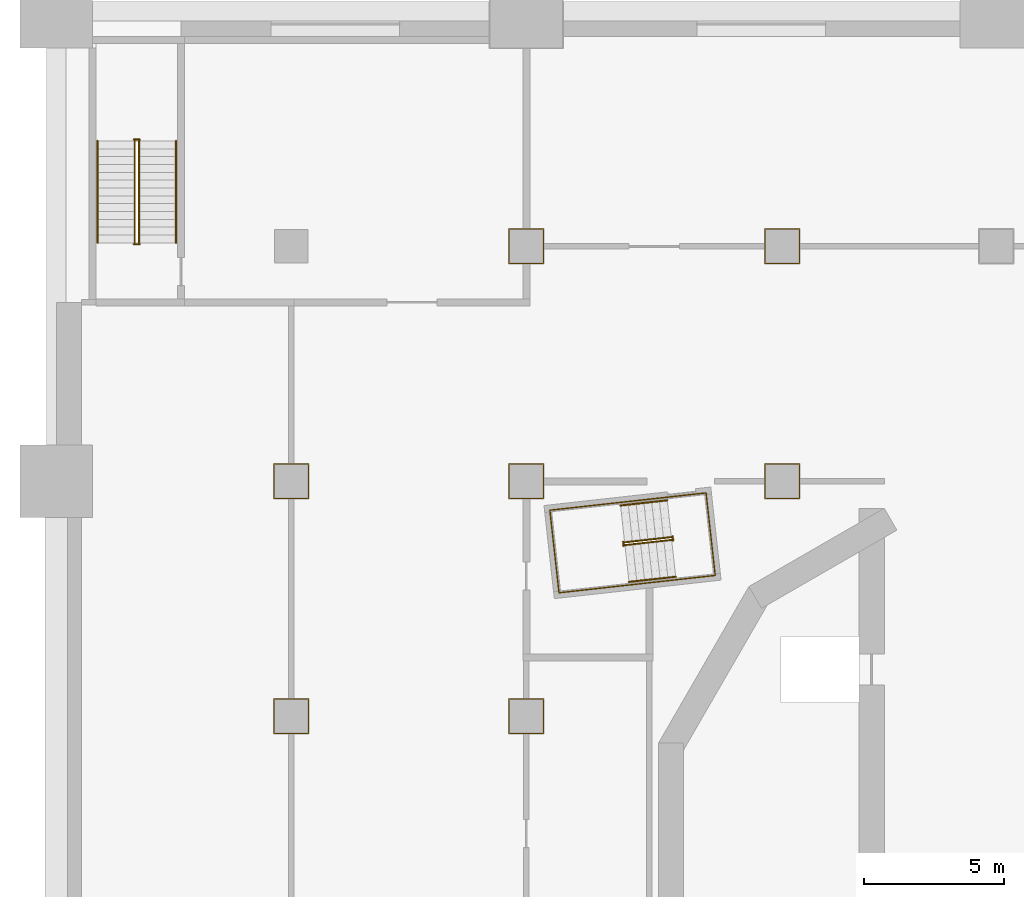
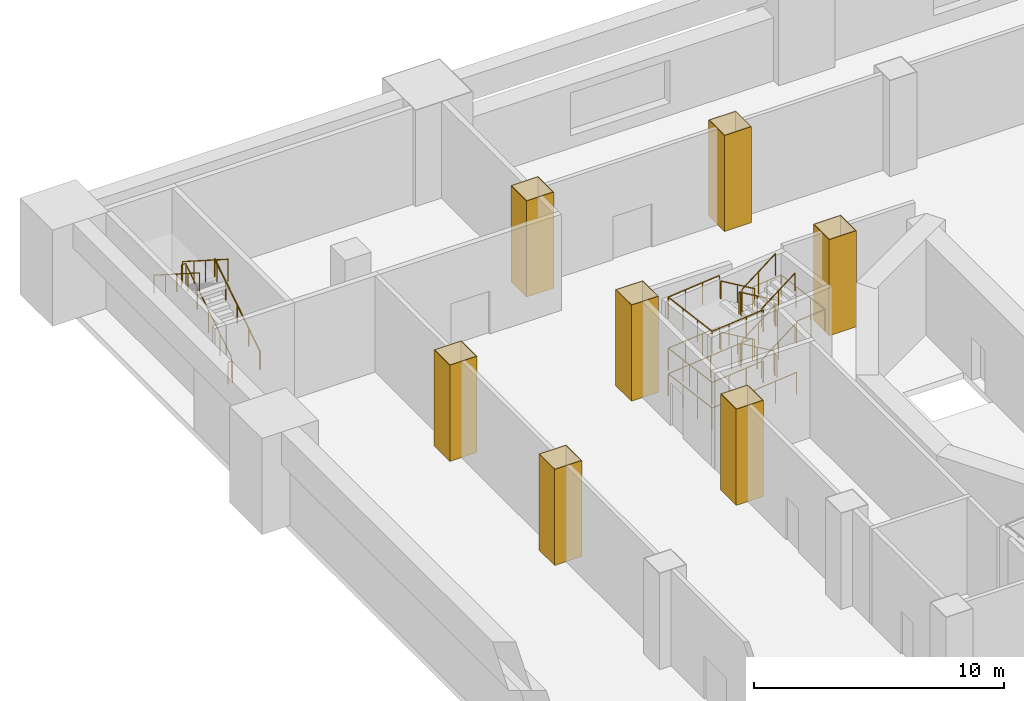
# One storey, part 12 of 17: 19 railings, 7 coverings.
"""IFC4 building model written with IfcOpenShell, lengths in metres."""

from ifc_helpers import new_model, si_unit, direction, frame, origin, origin_2d, place, context, subcontext, project, spatial, polyline, circle, outline, extrude, material, layer, layer_set, type_object, element, save


model = new_model("IFC4")

# Units and contexts
model_context = context("Model", 3, precision=1e-05, world=origin(), true_north=direction((0.0, 1.0)))
body_context = subcontext(model_context, "Body", "Model", "MODEL_VIEW")
ifc_project = project(units=[si_unit("LENGTHUNIT", "METRE"), si_unit("AREAUNIT", "SQUARE_METRE"), si_unit("VOLUMEUNIT", "CUBIC_METRE"), si_unit("PLANEANGLEUNIT", "RADIAN"), si_unit("MASSUNIT", "GRAM", prefix="KILO")], contexts=[model_context])

# Site, building, storey
site_placement = place(None, origin())
site = spatial("IfcSite", under=ifc_project, at=site_placement, CompositionType="ELEMENT")
building_placement = place(site_placement, origin())
building = spatial("IfcBuilding", under=site, at=building_placement, Name="Cantera Rosa Tower", CompositionType="ELEMENT")
storey_placement = place(building_placement, frame((0.0, 0.0, 27.0)))
storey = spatial("IfcBuildingStorey", under=building, at=storey_placement, Name="L04", CompositionType="ELEMENT", Elevation=27.0)

# Coverings
ifc_material_1 = material(Name="Plaster")
ifc_layer = layer(ifc_material_1, 0.030029296875)
ifc_layer_set = layer_set([ifc_layer], Name="Column casing 30")
covering_type = type_object("IfcCoveringType", Name="Column casing 30", PredefinedType="CLADDING", material=ifc_layer_set)
covering_1_placement = place(storey_placement, origin())
element("IfcCovering", 1, at=covering_1_placement, inside=storey, type_object=covering_type, Name="Column casing L04-003", PredefinedType="CLADDING", context=body_context, shape_type="SweptSolid", body=[
    extrude(outline(polyline([(-25.830078125, 3.570068359375), (-24.570068359375, 3.570068359375), (-24.570068359375, 4.830078125), (-25.830078125, 4.830078125), (-25.830078125, 3.570068359375)]), holes=[polyline([(-24.60009765625, 4.800048828125), (-25.800048828125, 4.800048828125), (-25.800048828125, 3.60009765625), (-24.60009765625, 3.60009765625), (-24.60009765625, 4.800048828125)])]), origin(), (0.0, 0.0, 1.0), 4.699951171875),
])
covering_2_placement = place(storey_placement, origin())
element("IfcCovering", 2, at=covering_2_placement, inside=storey, type_object=covering_type, Name="Column casing L04-004", PredefinedType="CLADDING", context=body_context, shape_type="SweptSolid", body=[
    extrude(outline(polyline([(-25.830078125, 11.969970703125), (-24.570068359375, 11.969970703125), (-24.570068359375, 13.22998046875), (-25.830078125, 13.22998046875), (-25.830078125, 11.969970703125)]), holes=[polyline([(-24.60009765625, 13.199951171875), (-25.800048828125, 13.199951171875), (-25.800048828125, 12.0), (-24.60009765625, 12.0), (-24.60009765625, 13.199951171875)])]), origin(), (0.0, 0.0, 1.0), 4.699951171875),
])
covering_3_placement = place(storey_placement, origin())
element("IfcCovering", 3, at=covering_3_placement, inside=storey, type_object=covering_type, Name="Column casing L04-009", PredefinedType="CLADDING", context=body_context, shape_type="SweptSolid", body=[
    extrude(outline(polyline([(-17.429931640625, 3.570068359375), (-16.169921875, 3.570068359375), (-16.169921875, 4.830078125), (-17.429931640625, 4.830078125), (-17.429931640625, 3.570068359375)]), holes=[polyline([(-16.199951171875, 4.800048828125), (-17.39990234375, 4.800048828125), (-17.39990234375, 3.60009765625), (-16.199951171875, 3.60009765625), (-16.199951171875, 4.800048828125)])]), origin(), (0.0, 0.0, 1.0), 4.699951171875),
])
covering_4_placement = place(storey_placement, origin())
element("IfcCovering", 4, at=covering_4_placement, inside=storey, type_object=covering_type, Name="Column casing L04-010", PredefinedType="CLADDING", context=body_context, shape_type="SweptSolid", body=[
    extrude(outline(polyline([(-17.429931640625, 11.969970703125), (-16.169921875, 11.969970703125), (-16.169921875, 13.22998046875), (-17.429931640625, 13.22998046875), (-17.429931640625, 11.969970703125)]), holes=[polyline([(-16.199951171875, 13.199951171875), (-17.39990234375, 13.199951171875), (-17.39990234375, 12.0), (-16.199951171875, 12.0), (-16.199951171875, 13.199951171875)])]), origin(), (0.0, 0.0, 1.0), 4.699951171875),
])
covering_5_placement = place(storey_placement, origin())
element("IfcCovering", 5, at=covering_5_placement, inside=storey, type_object=covering_type, Name="Column casing L04-011", PredefinedType="CLADDING", context=body_context, shape_type="SweptSolid", body=[
    extrude(outline(polyline([(-17.429931640625, 20.3701171875), (-16.169921875, 20.3701171875), (-16.169921875, 21.6298828125), (-17.429931640625, 21.6298828125), (-17.429931640625, 20.3701171875)]), holes=[polyline([(-16.199951171875, 21.60009765625), (-17.39990234375, 21.60009765625), (-17.39990234375, 20.39990234375), (-16.199951171875, 20.39990234375), (-16.199951171875, 21.60009765625)])]), origin(), (0.0, 0.0, 1.0), 4.699951171875),
])
covering_6_placement = place(storey_placement, origin())
element("IfcCovering", 6, at=covering_6_placement, inside=storey, type_object=covering_type, Name="Column casing L04-015", PredefinedType="CLADDING", context=body_context, shape_type="SweptSolid", body=[
    extrude(outline(polyline([(-8.280029296875, 11.969970703125), (-7.02001953125, 11.969970703125), (-7.02001953125, 13.22998046875), (-8.280029296875, 13.22998046875), (-8.280029296875, 11.969970703125)]), holes=[polyline([(-7.050048828125, 13.199951171875), (-8.25, 13.199951171875), (-8.25, 12.0), (-7.050048828125, 12.0), (-7.050048828125, 13.199951171875)])]), origin(), (0.0, 0.0, 1.0), 4.699951171875),
])
covering_7_placement = place(storey_placement, origin())
element("IfcCovering", 7, at=covering_7_placement, inside=storey, type_object=covering_type, Name="Column casing L04-016", PredefinedType="CLADDING", context=body_context, shape_type="SweptSolid", body=[
    extrude(outline(polyline([(-8.280029296875, 20.3701171875), (-7.02001953125, 20.3701171875), (-7.02001953125, 21.6298828125), (-8.280029296875, 21.6298828125), (-8.280029296875, 20.3701171875)]), holes=[polyline([(-7.050048828125, 21.60009765625), (-8.25, 21.60009765625), (-8.25, 20.39990234375), (-7.050048828125, 20.39990234375), (-7.050048828125, 21.60009765625)])]), origin(), (0.0, 0.0, 1.0), 4.699951171875),
])

# Railings
ifc_material_2 = material(Name="Steel S355J2 (EN 10025-2)", Category="steel")
railing_type_1 = type_object("IfcRailingType", Name="STAIR GUARD 1100", PredefinedType="GUARDRAIL", material=ifc_material_2)
railing_1_placement = place(storey_placement, frame((-11.614013671875, 10.60302734375, 0.178466796875)))
element("IfcRailing", 8, at=railing_1_placement, inside=storey, type_object=railing_type_1, Name="L04 ST-12 stair guard 1", PredefinedType="GUARDRAIL", context=body_context, shape_type="SweptSolid", body=[
    extrude(circle(Radius=0.02392578125, at=origin_2d()), frame((0.0, 0.0, 1.076171875), z_axis=(-0.837950904326, -0.092996744609, 0.537763784046), x_axis=(0.110303920128, -0.993897904819, 0.0)), (0.0, 0.0, 1.0), 1.99267578125),
    extrude(circle(Radius=0.02392578125, at=origin_2d()), frame((-1.669677734375, -0.185302734375, 2.1474609375), z_axis=(-0.931434406233, 0.363909256389, 0.0), x_axis=(-0.363909256389, -0.931434406233, 0.0)), (0.0, 0.0, 1.0), 0.056396484375),
    extrude(circle(Radius=0.02392578125, at=origin_2d()), frame((-1.72216796875, -0.164794921875, 2.1474609375), z_axis=(0.1090029065, -0.994041430915, 0.0), x_axis=(0.994041430915, 0.1090029065, 0.0)), (0.0, 0.0, 1.0), 0.150146484375),
    extrude(circle(Radius=0.02099609375, at=origin_2d()), origin(), (0.0, 0.0, 1.0), 1.052001953125),
    extrude(circle(Radius=0.02099609375, at=origin_2d()), frame((-0.8349609375, -0.0927734375, 0.53564453125)), (0.0, 0.0, 1.0), 1.052001953125),
    extrude(circle(Radius=0.02099609375, at=origin_2d()), frame((-1.669677734375, -0.185302734375, 1.071533203125)), (0.0, 0.0, 1.0), 1.052001953125),
    extrude(circle(Radius=0.02099609375, at=origin_2d()), frame((-1.72216796875, -0.164794921875, 1.071533203125)), (0.0, 0.0, 1.0), 1.052001953125),
    extrude(circle(Radius=0.02099609375, at=origin_2d()), frame((-1.705810546875, -0.31396484375, 1.071533203125)), (0.0, 0.0, 1.0), 1.052001953125),
])
railing_2_placement = place(storey_placement, frame((-13.27294921875, 10.3203125, 1.428466796875)))
element("IfcRailing", 9, at=railing_2_placement, inside=storey, type_object=railing_type_1, Name="L04 ST-12 stair guard 2", PredefinedType="GUARDRAIL", context=body_context, shape_type="SweptSolid", body=[
    extrude(circle(Radius=0.02392578125, at=origin_2d()), frame((0.0, 0.0, 1.076171875), z_axis=(0.837987391448, 0.092987197384, 0.537708576179), x_axis=(-0.11028798999, 0.993899672635, 0.0)), (0.0, 0.0, 1.0), 1.99267578125),
    extrude(circle(Radius=0.02392578125, at=origin_2d()), frame((1.669921875, 0.185302734375, 2.1474609375), z_axis=(0.932897555956, -0.360141847183, 0.0), x_axis=(0.360141847183, 0.932897555956, 0.0)), (0.0, 0.0, 1.0), 0.05615234375),
    extrude(circle(Radius=0.02392578125, at=origin_2d()), frame((1.722412109375, 0.1650390625, 2.1474609375), z_axis=(-0.110610055588, 0.993863881828, 0.0), x_axis=(-0.993863881828, -0.110610055588, 0.0)), (0.0, 0.0, 1.0), 0.150146484375),
    extrude(circle(Radius=0.02099609375, at=origin_2d()), origin(), (0.0, 0.0, 1.0), 1.052001953125),
    extrude(circle(Radius=0.02099609375, at=origin_2d()), frame((0.8349609375, 0.0927734375, 0.53564453125)), (0.0, 0.0, 1.0), 1.052001953125),
    extrude(circle(Radius=0.02099609375, at=origin_2d()), frame((1.669921875, 0.185302734375, 1.071533203125)), (0.0, 0.0, 1.0), 1.052001953125),
    extrude(circle(Radius=0.02099609375, at=origin_2d()), frame((1.722412109375, 0.1650390625, 1.071533203125)), (0.0, 0.0, 1.0), 1.052001953125),
    extrude(circle(Radius=0.02099609375, at=origin_2d()), frame((1.705810546875, 0.314208984375, 1.071533203125)), (0.0, 0.0, 1.0), 1.052001953125),
])
railing_3_placement = place(storey_placement, frame((-11.614013671875, 10.60302734375, 2.678466796875)))
element("IfcRailing", 10, at=railing_3_placement, inside=storey, type_object=railing_type_1, Name="L04 ST-12 stair guard 3", PredefinedType="GUARDRAIL", context=body_context, shape_type="SweptSolid", body=[
    extrude(circle(Radius=0.02392578125, at=origin_2d()), frame((0.0, 0.0, 1.076171875), z_axis=(-0.837950904326, -0.092996744609, 0.537763784046), x_axis=(0.110303920128, -0.993897904819, 0.0)), (0.0, 0.0, 1.0), 1.99267578125),
    extrude(circle(Radius=0.02392578125, at=origin_2d()), frame((-1.669677734375, -0.185302734375, 2.1474609375), z_axis=(-0.931434406233, 0.363909256389, 0.0), x_axis=(-0.363909256389, -0.931434406233, 0.0)), (0.0, 0.0, 1.0), 0.056396484375),
    extrude(circle(Radius=0.02392578125, at=origin_2d()), frame((-1.72216796875, -0.164794921875, 2.1474609375), z_axis=(0.1090029065, -0.994041430915, 0.0), x_axis=(0.994041430915, 0.1090029065, 0.0)), (0.0, 0.0, 1.0), 0.150146484375),
    extrude(circle(Radius=0.02099609375, at=origin_2d()), origin(), (0.0, 0.0, 1.0), 1.052001953125),
    extrude(circle(Radius=0.02099609375, at=origin_2d()), frame((-0.8349609375, -0.0927734375, 0.53564453125)), (0.0, 0.0, 1.0), 1.052001953125),
    extrude(circle(Radius=0.02099609375, at=origin_2d()), frame((-1.669677734375, -0.185302734375, 1.071533203125)), (0.0, 0.0, 1.0), 1.052001953125),
    extrude(circle(Radius=0.02099609375, at=origin_2d()), frame((-1.72216796875, -0.164794921875, 1.071533203125)), (0.0, 0.0, 1.0), 1.052001953125),
    extrude(circle(Radius=0.02099609375, at=origin_2d()), frame((-1.705810546875, -0.31396484375, 1.071533203125)), (0.0, 0.0, 1.0), 1.052001953125),
])
railing_4_placement = place(storey_placement, frame((-13.27294921875, 10.3203125, 3.928466796875)))
element("IfcRailing", 11, at=railing_4_placement, inside=storey, type_object=railing_type_1, Name="L04 ST-12 stair guard 4", PredefinedType="GUARDRAIL", context=body_context, shape_type="SweptSolid", body=[
    extrude(circle(Radius=0.02392578125, at=origin_2d()), frame((0.0, 0.0, 1.076171875), z_axis=(0.837987391448, 0.092987197384, 0.537708576179), x_axis=(-0.11028798999, 0.993899672635, 0.0)), (0.0, 0.0, 1.0), 1.99267578125),
    extrude(circle(Radius=0.02099609375, at=origin_2d()), origin(), (0.0, 0.0, 1.0), 1.052001953125),
    extrude(circle(Radius=0.02099609375, at=origin_2d()), frame((0.8349609375, 0.0927734375, 0.53564453125)), (0.0, 0.0, 1.0), 1.052001953125),
    extrude(circle(Radius=0.02099609375, at=origin_2d()), frame((1.669921875, 0.185302734375, 1.071533203125)), (0.0, 0.0, 1.0), 1.052001953125),
])
railing_5_placement = place(storey_placement, frame((-11.567138671875, 10.634521484375, 0.0)))
element("IfcRailing", 12, at=railing_5_placement, inside=storey, type_object=railing_type_1, Name="L04 ST-12 stair guard 5", PredefinedType="GUARDRAIL", context=body_context, shape_type="SweptSolid", body=[
    extrude(circle(Radius=0.02392578125, at=origin_2d()), frame((0.0, 0.0, 1.076171875), z_axis=(0.110610055588, -0.993863881828, 0.0), x_axis=(0.993863881828, 0.110610055588, 0.0)), (0.0, 0.0, 1.0), 0.150146484375),
    extrude(circle(Radius=0.02099609375, at=origin_2d()), origin(), (0.0, 0.0, 1.0), 1.052001953125),
    extrude(circle(Radius=0.02099609375, at=origin_2d()), frame((0.0166015625, -0.149169921875, 0.0)), (0.0, 0.0, 1.0), 1.052001953125),
])
railing_6_placement = place(storey_placement, frame((-11.7841796875, 12.029052734375, 0.0)))
element("IfcRailing", 13, at=railing_6_placement, inside=storey, type_object=railing_type_1, Name="L04 ST-12 stair guard 6", PredefinedType="GUARDRAIL", context=body_context, shape_type="SweptSolid", body=[
    extrude(circle(Radius=0.02392578125, at=origin_2d()), frame((0.0, 0.0, 1.076171875), z_axis=(-0.9938957856, -0.110323013767, 0.0), x_axis=(0.110323013767, -0.9938957856, 0.0)), (0.0, 0.0, 1.0), 4.197998046875),
    extrude(circle(Radius=0.02392578125, at=origin_2d()), frame((-4.17236328125, -0.463134765625, 1.076171875), z_axis=(0.11023303584, -0.99390576908, 0.0), x_axis=(0.99390576908, 0.11023303584, 0.0)), (0.0, 0.0, 1.0), 2.969970703125),
    extrude(circle(Radius=0.02392578125, at=origin_2d()), frame((-3.844970703125, -3.4150390625, 1.076171875), z_axis=(0.993896493372, 0.11031663729, 0.0), x_axis=(-0.11031663729, 0.993896493372, 0.0)), (0.0, 0.0, 1.0), 4.1982421875),
    extrude(circle(Radius=0.02099609375, at=origin_2d()), origin(), (0.0, 0.0, 1.0), 1.052001953125),
    extrude(circle(Radius=0.02099609375, at=origin_2d()), frame((-1.04296875, -0.11572265625, 0.0)), (0.0, 0.0, 1.0), 1.052001953125),
    extrude(circle(Radius=0.02099609375, at=origin_2d()), frame((-2.086181640625, -0.2314453125, 0.0)), (0.0, 0.0, 1.0), 1.052001953125),
    extrude(circle(Radius=0.02099609375, at=origin_2d()), frame((-3.12939453125, -0.347412109375, 0.0)), (0.0, 0.0, 1.0), 1.052001953125),
    extrude(circle(Radius=0.02099609375, at=origin_2d()), frame((-4.17236328125, -0.463134765625, 0.0)), (0.0, 0.0, 1.0), 1.052001953125),
    extrude(circle(Radius=0.02099609375, at=origin_2d()), frame((-4.063232421875, -1.447021484375, 0.0)), (0.0, 0.0, 1.0), 1.052001953125),
    extrude(circle(Radius=0.02099609375, at=origin_2d()), frame((-3.9541015625, -2.43115234375, 0.0)), (0.0, 0.0, 1.0), 1.052001953125),
    extrude(circle(Radius=0.02099609375, at=origin_2d()), frame((-3.844970703125, -3.4150390625, 0.0)), (0.0, 0.0, 1.0), 1.052001953125),
    extrude(circle(Radius=0.02099609375, at=origin_2d()), frame((-2.8017578125, -3.29931640625, 0.0)), (0.0, 0.0, 1.0), 1.052001953125),
    extrude(circle(Radius=0.02099609375, at=origin_2d()), frame((-1.7587890625, -3.18359375, 0.0)), (0.0, 0.0, 1.0), 1.052001953125),
    extrude(circle(Radius=0.02099609375, at=origin_2d()), frame((-0.715576171875, -3.067626953125, 0.0)), (0.0, 0.0, 1.0), 1.052001953125),
    extrude(circle(Radius=0.02099609375, at=origin_2d()), frame((0.32763671875, -2.951904296875, 0.0)), (0.0, 0.0, 1.0), 1.052001953125),
])
railing_7_placement = place(storey_placement, frame((-13.43017578125, 11.846435546875, 1.25)))
element("IfcRailing", 14, at=railing_7_placement, inside=storey, type_object=railing_type_1, Name="L04 ST-12 stair guard 7", PredefinedType="GUARDRAIL", context=body_context, shape_type="SweptSolid", body=[
    extrude(circle(Radius=0.02392578125, at=origin_2d()), frame((0.0, 0.0, 1.076171875), z_axis=(-0.993891931048, -0.110357733743, 0.0), x_axis=(0.110357733743, -0.993891931048, 0.0)), (0.0, 0.0, 1.0), 2.5419921875),
    extrude(circle(Radius=0.02392578125, at=origin_2d()), frame((-2.5263671875, -0.280517578125, 1.076171875), z_axis=(0.11023303584, -0.99390576908, 0.0), x_axis=(0.99390576908, 0.11023303584, 0.0)), (0.0, 0.0, 1.0), 2.969970703125),
    extrude(circle(Radius=0.02392578125, at=origin_2d()), frame((-2.198974609375, -3.232421875, 1.076171875), z_axis=(0.993893100618, 0.110347199982, 0.0), x_axis=(-0.110347199982, 0.993893100618, 0.0)), (0.0, 0.0, 1.0), 2.542236328125),
    extrude(circle(Radius=0.02099609375, at=origin_2d()), origin(), (0.0, 0.0, 1.0), 1.052001953125),
    extrude(circle(Radius=0.02099609375, at=origin_2d()), frame((-0.842041015625, -0.093505859375, 0.0)), (0.0, 0.0, 1.0), 1.052001953125),
    extrude(circle(Radius=0.02099609375, at=origin_2d()), frame((-1.684326171875, -0.18701171875, 0.0)), (0.0, 0.0, 1.0), 1.052001953125),
    extrude(circle(Radius=0.02099609375, at=origin_2d()), frame((-2.5263671875, -0.280517578125, 0.0)), (0.0, 0.0, 1.0), 1.052001953125),
    extrude(circle(Radius=0.02099609375, at=origin_2d()), frame((-2.417236328125, -1.264404296875, 0.0)), (0.0, 0.0, 1.0), 1.052001953125),
    extrude(circle(Radius=0.02099609375, at=origin_2d()), frame((-2.30810546875, -2.24853515625, 0.0)), (0.0, 0.0, 1.0), 1.052001953125),
    extrude(circle(Radius=0.02099609375, at=origin_2d()), frame((-2.198974609375, -3.232421875, 0.0)), (0.0, 0.0, 1.0), 1.052001953125),
    extrude(circle(Radius=0.02099609375, at=origin_2d()), frame((-1.356689453125, -3.138916015625, 0.0)), (0.0, 0.0, 1.0), 1.052001953125),
    extrude(circle(Radius=0.02099609375, at=origin_2d()), frame((-0.5146484375, -3.04541015625, 0.0)), (0.0, 0.0, 1.0), 1.052001953125),
    extrude(circle(Radius=0.02099609375, at=origin_2d()), frame((0.32763671875, -2.951904296875, 0.0)), (0.0, 0.0, 1.0), 1.052001953125),
])
railing_8_placement = place(storey_placement, frame((-11.7841796875, 12.029052734375, 2.5)))
element("IfcRailing", 15, at=railing_8_placement, inside=storey, type_object=railing_type_1, Name="L04 ST-12 stair guard 8", PredefinedType="GUARDRAIL", context=body_context, shape_type="SweptSolid", body=[
    extrude(circle(Radius=0.02392578125, at=origin_2d()), frame((0.0, 0.0, 1.076171875), z_axis=(0.993887921413, 0.110393838913, 0.0), x_axis=(-0.110393838913, 0.993887921413, 0.0)), (0.0, 0.0, 1.0), 1.422119140625),
    extrude(circle(Radius=0.02392578125, at=origin_2d()), frame((1.413330078125, 0.156982421875, 1.076171875), z_axis=(0.11023303584, -0.99390576908, 0.0), x_axis=(0.99390576908, 0.11023303584, 0.0)), (0.0, 0.0, 1.0), 2.969970703125),
    extrude(circle(Radius=0.02392578125, at=origin_2d()), frame((1.74072265625, -2.794921875, 1.076171875), z_axis=(-0.993885828579, -0.110412679298, 0.0), x_axis=(0.110412679298, -0.993885828579, 0.0)), (0.0, 0.0, 1.0), 1.421875),
    extrude(circle(Radius=0.02099609375, at=origin_2d()), origin(), (0.0, 0.0, 1.0), 1.052001953125),
    extrude(circle(Radius=0.02099609375, at=origin_2d()), frame((0.70654296875, 0.07861328125, 0.0)), (0.0, 0.0, 1.0), 1.052001953125),
    extrude(circle(Radius=0.02099609375, at=origin_2d()), frame((1.413330078125, 0.156982421875, 0.0)), (0.0, 0.0, 1.0), 1.052001953125),
    extrude(circle(Radius=0.02099609375, at=origin_2d()), frame((1.5224609375, -0.826904296875, 0.0)), (0.0, 0.0, 1.0), 1.052001953125),
    extrude(circle(Radius=0.02099609375, at=origin_2d()), frame((1.631591796875, -1.81103515625, 0.0)), (0.0, 0.0, 1.0), 1.052001953125),
    extrude(circle(Radius=0.02099609375, at=origin_2d()), frame((1.74072265625, -2.794921875, 0.0)), (0.0, 0.0, 1.0), 1.052001953125),
    extrude(circle(Radius=0.02099609375, at=origin_2d()), frame((1.0341796875, -2.87353515625, 0.0)), (0.0, 0.0, 1.0), 1.052001953125),
    extrude(circle(Radius=0.02099609375, at=origin_2d()), frame((0.32763671875, -2.951904296875, 0.0)), (0.0, 0.0, 1.0), 1.052001953125),
])
railing_9_placement = place(storey_placement, frame((-13.43017578125, 11.846435546875, 3.75)))
element("IfcRailing", 16, at=railing_9_placement, inside=storey, type_object=railing_type_1, Name="L04 ST-12 stair guard 9", PredefinedType="GUARDRAIL", context=body_context, shape_type="SweptSolid", body=[
    extrude(circle(Radius=0.02392578125, at=origin_2d()), frame((0.0, 0.0, 1.076171875), z_axis=(-0.993891931048, -0.110357733743, 0.0), x_axis=(0.110357733743, -0.993891931048, 0.0)), (0.0, 0.0, 1.0), 2.5419921875),
    extrude(circle(Radius=0.02392578125, at=origin_2d()), frame((-2.5263671875, -0.280517578125, 1.076171875), z_axis=(0.11023303584, -0.99390576908, 0.0), x_axis=(0.99390576908, 0.11023303584, 0.0)), (0.0, 0.0, 1.0), 2.969970703125),
    extrude(circle(Radius=0.02392578125, at=origin_2d()), frame((-2.198974609375, -3.232421875, 1.076171875), z_axis=(0.993893100618, 0.110347199982, 0.0), x_axis=(-0.110347199982, 0.993893100618, 0.0)), (0.0, 0.0, 1.0), 2.542236328125),
    extrude(circle(Radius=0.02099609375, at=origin_2d()), origin(), (0.0, 0.0, 1.0), 1.052001953125),
    extrude(circle(Radius=0.02099609375, at=origin_2d()), frame((-0.842041015625, -0.093505859375, 0.0)), (0.0, 0.0, 1.0), 1.052001953125),
    extrude(circle(Radius=0.02099609375, at=origin_2d()), frame((-1.684326171875, -0.18701171875, 0.0)), (0.0, 0.0, 1.0), 1.052001953125),
    extrude(circle(Radius=0.02099609375, at=origin_2d()), frame((-2.5263671875, -0.280517578125, 0.0)), (0.0, 0.0, 1.0), 1.052001953125),
    extrude(circle(Radius=0.02099609375, at=origin_2d()), frame((-2.417236328125, -1.264404296875, 0.0)), (0.0, 0.0, 1.0), 1.052001953125),
    extrude(circle(Radius=0.02099609375, at=origin_2d()), frame((-2.30810546875, -2.24853515625, 0.0)), (0.0, 0.0, 1.0), 1.052001953125),
    extrude(circle(Radius=0.02099609375, at=origin_2d()), frame((-2.198974609375, -3.232421875, 0.0)), (0.0, 0.0, 1.0), 1.052001953125),
    extrude(circle(Radius=0.02099609375, at=origin_2d()), frame((-1.356689453125, -3.138916015625, 0.0)), (0.0, 0.0, 1.0), 1.052001953125),
    extrude(circle(Radius=0.02099609375, at=origin_2d()), frame((-0.5146484375, -3.04541015625, 0.0)), (0.0, 0.0, 1.0), 1.052001953125),
    extrude(circle(Radius=0.02099609375, at=origin_2d()), frame((0.32763671875, -2.951904296875, 0.0)), (0.0, 0.0, 1.0), 1.052001953125),
])
railing_10_placement = place(storey_placement, frame((-30.65087890625, 21.125, 0.178466796875)))
element("IfcRailing", 17, at=railing_10_placement, inside=storey, type_object=railing_type_1, Name="L04 ST-NW stair guard 1", PredefinedType="GUARDRAIL", context=body_context, shape_type="SweptSolid", body=[
    extrude(circle(Radius=0.02392578125, at=origin_2d()), frame((0.0, 0.0, 1.076171875), z_axis=(0.0, 0.843111507901, 0.53773877045), x_axis=(-1.0, 0.0, 0.0)), (0.0, 0.0, 1.0), 4.317138671875),
    extrude(circle(Radius=0.02099609375, at=origin_2d()), origin(), (0.0, 0.0, 1.0), 1.052001953125),
    extrude(circle(Radius=0.02099609375, at=origin_2d()), frame((0.0, 0.909912109375, 0.580322265625)), (0.0, 0.0, 1.0), 1.052001953125),
    extrude(circle(Radius=0.02099609375, at=origin_2d()), frame((0.0, 1.81982421875, 1.16064453125)), (0.0, 0.0, 1.0), 1.052001953125),
    extrude(circle(Radius=0.02099609375, at=origin_2d()), frame((0.0, 2.72998046875, 1.7412109375)), (0.0, 0.0, 1.0), 1.052001953125),
    extrude(circle(Radius=0.02099609375, at=origin_2d()), frame((0.0, 3.639892578125, 2.321533203125)), (0.0, 0.0, 1.0), 1.052001953125),
])
railing_11_placement = place(storey_placement, frame((-30.625, 24.81494140625, 2.5)))
element("IfcRailing", 18, at=railing_11_placement, inside=storey, type_object=railing_type_1, Name="L04 ST-NW stair guard 2", PredefinedType="GUARDRAIL", context=body_context, shape_type="SweptSolid", body=[
    extrude(circle(Radius=0.02392578125, at=origin_2d()), frame((0.0, 0.0, 1.076171875), z_axis=(-1.0, 0.0, 0.0), x_axis=(0.0, -1.0, 0.0)), (0.0, 0.0, 1.0), 0.199951171875),
    extrude(circle(Radius=0.02099609375, at=origin_2d()), origin(), (0.0, 0.0, 1.0), 1.052001953125),
    extrude(circle(Radius=0.02099609375, at=origin_2d()), frame((-0.199951171875, 0.0, 0.0)), (0.0, 0.0, 1.0), 1.052001953125),
])
railing_12_placement = place(storey_placement, frame((-30.799072265625, 24.764892578125, 2.678466796875)))
element("IfcRailing", 19, at=railing_12_placement, inside=storey, type_object=railing_type_1, Name="L04 ST-NW stair guard 3", PredefinedType="GUARDRAIL", context=body_context, shape_type="SweptSolid", body=[
    extrude(circle(Radius=0.02392578125, at=origin_2d()), frame((0.0, 0.0, 1.076171875), z_axis=(0.0, -0.843111507901, 0.53773877045), x_axis=(1.0, 0.0, 0.0)), (0.0, 0.0, 1.0), 4.317138671875),
    extrude(circle(Radius=0.02099609375, at=origin_2d()), origin(), (0.0, 0.0, 1.0), 1.052001953125),
    extrude(circle(Radius=0.02099609375, at=origin_2d()), frame((0.0, -0.909912109375, 0.580322265625)), (0.0, 0.0, 1.0), 1.052001953125),
    extrude(circle(Radius=0.02099609375, at=origin_2d()), frame((0.0, -1.81982421875, 1.16064453125)), (0.0, 0.0, 1.0), 1.052001953125),
    extrude(circle(Radius=0.02099609375, at=origin_2d()), frame((0.0, -2.72998046875, 1.7412109375)), (0.0, 0.0, 1.0), 1.052001953125),
    extrude(circle(Radius=0.02099609375, at=origin_2d()), frame((0.0, -3.639892578125, 2.321533203125)), (0.0, 0.0, 1.0), 1.052001953125),
])
railing_13_placement = place(storey_placement, frame((-30.625, 21.074951171875, 0.0)))
element("IfcRailing", 20, at=railing_13_placement, inside=storey, type_object=railing_type_1, Name="L04 ST-NW stair guard 4", PredefinedType="GUARDRAIL", context=body_context, shape_type="SweptSolid", body=[
    extrude(circle(Radius=0.02392578125, at=origin_2d()), frame((0.0, 0.0, 1.076171875), z_axis=(-1.0, 0.0, 0.0), x_axis=(0.0, -1.0, 0.0)), (0.0, 0.0, 1.0), 0.199951171875),
    extrude(circle(Radius=0.02099609375, at=origin_2d()), origin(), (0.0, 0.0, 1.0), 1.052001953125),
    extrude(circle(Radius=0.02099609375, at=origin_2d()), frame((-0.199951171875, 0.0, 0.0)), (0.0, 0.0, 1.0), 1.052001953125),
])
ifc_material_3 = material(Name="Steel S355J2 (EN 10025-2)", Category="steel")
railing_type_2 = type_object("IfcRailingType", Name="STAIR HANDRAIL 900", PredefinedType="HANDRAIL", material=ifc_material_3)
railing_14_placement = place(storey_placement, frame((-11.76025390625, 11.921142578125, 0.178466796875)))
element("IfcRailing", 21, at=railing_14_placement, inside=storey, type_object=railing_type_2, Name="L04 ST-12 stair handrail 1", PredefinedType="HANDRAIL", context=body_context, shape_type="SweptSolid", body=[
    extrude(circle(Radius=0.02392578125, at=origin_2d()), frame((0.0, 0.0, 0.8759765625), z_axis=(-0.837950904326, -0.092996744609, 0.537763784046), x_axis=(0.110303920128, -0.993897904819, 0.0)), (0.0, 0.0, 1.0), 1.99267578125),
    extrude(circle(Radius=0.02099609375, at=origin_2d()), origin(), (0.0, 0.0, 1.0), 0.851806640625),
    extrude(circle(Radius=0.02099609375, at=origin_2d()), frame((-0.8349609375, -0.0927734375, 0.53564453125)), (0.0, 0.0, 1.0), 0.851806640625),
    extrude(circle(Radius=0.02099609375, at=origin_2d()), frame((-1.669677734375, -0.185302734375, 1.071533203125)), (0.0, 0.0, 1.0), 0.851806640625),
])
railing_15_placement = place(storey_placement, frame((-13.126708984375, 9.00244140625, 1.428466796875)))
element("IfcRailing", 22, at=railing_15_placement, inside=storey, type_object=railing_type_2, Name="L04 ST-12 stair handrail 2", PredefinedType="HANDRAIL", context=body_context, shape_type="SweptSolid", body=[
    extrude(circle(Radius=0.02392578125, at=origin_2d()), frame((0.0, 0.0, 0.8759765625), z_axis=(0.837987391448, 0.092987197384, 0.537708576179), x_axis=(-0.11028798999, 0.993899672635, 0.0)), (0.0, 0.0, 1.0), 1.99267578125),
    extrude(circle(Radius=0.02099609375, at=origin_2d()), origin(), (0.0, 0.0, 1.0), 0.851806640625),
    extrude(circle(Radius=0.02099609375, at=origin_2d()), frame((0.8349609375, 0.0927734375, 0.53564453125)), (0.0, 0.0, 1.0), 0.851806640625),
    extrude(circle(Radius=0.02099609375, at=origin_2d()), frame((1.669921875, 0.185302734375, 1.071533203125)), (0.0, 0.0, 1.0), 0.851806640625),
])
railing_16_placement = place(storey_placement, frame((-11.76025390625, 11.921142578125, 2.678466796875)))
element("IfcRailing", 23, at=railing_16_placement, inside=storey, type_object=railing_type_2, Name="L04 ST-12 stair handrail 3", PredefinedType="HANDRAIL", context=body_context, shape_type="SweptSolid", body=[
    extrude(circle(Radius=0.02392578125, at=origin_2d()), frame((0.0, 0.0, 0.8759765625), z_axis=(-0.837950904326, -0.092996744609, 0.537763784046), x_axis=(0.110303920128, -0.993897904819, 0.0)), (0.0, 0.0, 1.0), 1.99267578125),
    extrude(circle(Radius=0.02099609375, at=origin_2d()), origin(), (0.0, 0.0, 1.0), 0.851806640625),
    extrude(circle(Radius=0.02099609375, at=origin_2d()), frame((-0.8349609375, -0.0927734375, 0.53564453125)), (0.0, 0.0, 1.0), 0.851806640625),
    extrude(circle(Radius=0.02099609375, at=origin_2d()), frame((-1.669677734375, -0.185302734375, 1.071533203125)), (0.0, 0.0, 1.0), 0.851806640625),
])
railing_17_placement = place(storey_placement, frame((-13.126708984375, 9.00244140625, 3.928466796875)))
element("IfcRailing", 24, at=railing_17_placement, inside=storey, type_object=railing_type_2, Name="L04 ST-12 stair handrail 4", PredefinedType="HANDRAIL", context=body_context, shape_type="SweptSolid", body=[
    extrude(circle(Radius=0.02392578125, at=origin_2d()), frame((0.0, 0.0, 0.8759765625), z_axis=(0.837987391448, 0.092987197384, 0.537708576179), x_axis=(-0.11028798999, 0.993899672635, 0.0)), (0.0, 0.0, 1.0), 1.99267578125),
    extrude(circle(Radius=0.02099609375, at=origin_2d()), origin(), (0.0, 0.0, 1.0), 0.851806640625),
    extrude(circle(Radius=0.02099609375, at=origin_2d()), frame((0.8349609375, 0.0927734375, 0.53564453125)), (0.0, 0.0, 1.0), 0.851806640625),
    extrude(circle(Radius=0.02099609375, at=origin_2d()), frame((1.669921875, 0.185302734375, 1.071533203125)), (0.0, 0.0, 1.0), 0.851806640625),
])
railing_18_placement = place(storey_placement, frame((-29.324951171875, 21.125, 0.178466796875)))
element("IfcRailing", 25, at=railing_18_placement, inside=storey, type_object=railing_type_2, Name="L04 ST-NW stair handrail 1", PredefinedType="HANDRAIL", context=body_context, shape_type="SweptSolid", body=[
    extrude(circle(Radius=0.02392578125, at=origin_2d()), frame((0.0, 0.0, 0.8759765625), z_axis=(0.0, 0.843111507901, 0.53773877045), x_axis=(-1.0, 0.0, 0.0)), (0.0, 0.0, 1.0), 4.317138671875),
    extrude(circle(Radius=0.02099609375, at=origin_2d()), origin(), (0.0, 0.0, 1.0), 0.851806640625),
    extrude(circle(Radius=0.02099609375, at=origin_2d()), frame((0.0, 0.909912109375, 0.580322265625)), (0.0, 0.0, 1.0), 0.851806640625),
    extrude(circle(Radius=0.02099609375, at=origin_2d()), frame((0.0, 1.81982421875, 1.16064453125)), (0.0, 0.0, 1.0), 0.851806640625),
    extrude(circle(Radius=0.02099609375, at=origin_2d()), frame((0.0, 2.72998046875, 1.7412109375)), (0.0, 0.0, 1.0), 0.851806640625),
    extrude(circle(Radius=0.02099609375, at=origin_2d()), frame((0.0, 3.639892578125, 2.321533203125)), (0.0, 0.0, 1.0), 0.851806640625),
])
railing_19_placement = place(storey_placement, frame((-32.125, 24.764892578125, 2.678466796875)))
element("IfcRailing", 26, at=railing_19_placement, inside=storey, type_object=railing_type_2, Name="L04 ST-NW stair handrail 2", PredefinedType="HANDRAIL", context=body_context, shape_type="SweptSolid", body=[
    extrude(circle(Radius=0.02392578125, at=origin_2d()), frame((0.0, 0.0, 0.8759765625), z_axis=(0.0, -0.843111507901, 0.53773877045), x_axis=(1.0, 0.0, 0.0)), (0.0, 0.0, 1.0), 4.317138671875),
    extrude(circle(Radius=0.02099609375, at=origin_2d()), origin(), (0.0, 0.0, 1.0), 0.851806640625),
    extrude(circle(Radius=0.02099609375, at=origin_2d()), frame((0.0, -0.909912109375, 0.580322265625)), (0.0, 0.0, 1.0), 0.851806640625),
    extrude(circle(Radius=0.02099609375, at=origin_2d()), frame((0.0, -1.81982421875, 1.16064453125)), (0.0, 0.0, 1.0), 0.851806640625),
    extrude(circle(Radius=0.02099609375, at=origin_2d()), frame((0.0, -2.72998046875, 1.7412109375)), (0.0, 0.0, 1.0), 0.851806640625),
    extrude(circle(Radius=0.02099609375, at=origin_2d()), frame((0.0, -3.639892578125, 2.321533203125)), (0.0, 0.0, 1.0), 0.851806640625),
])

save(model, "model.ifc")
